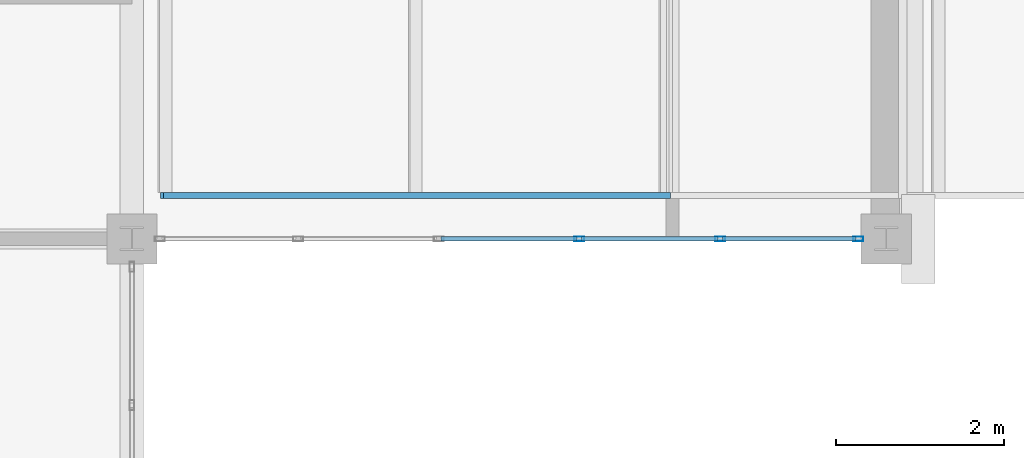
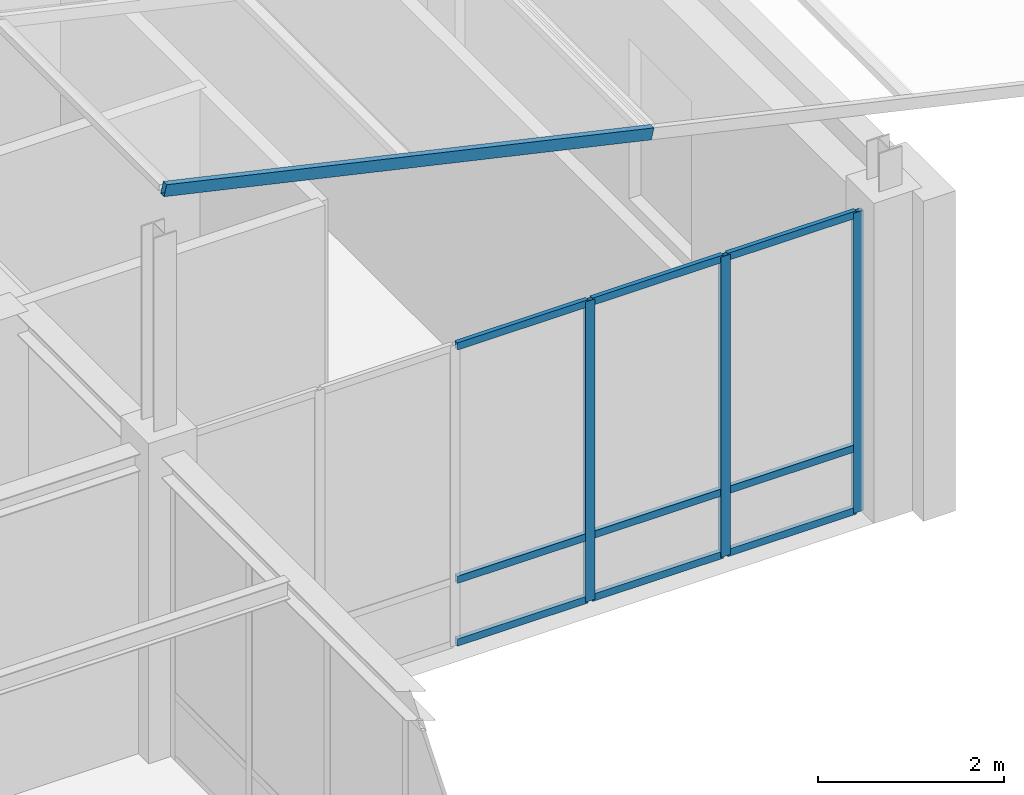
# One storey, part 36 of 97: 13 members, 2 elements without a shape of their own.
"""IFC4 building model written with IfcOpenShell, lengths in metres."""

import ifcopenshell
import ifcopenshell.guid

model = None  # the IFC model being written
_history = None  # IfcOwnerHistory: only IFC2X3 demands one
_inside = {}  # id of a spatial element -> (the spatial element, [elements in it])
_under = {}  # id of a project, library or spatial element -> (it, [spatial elements below it])
_declared = {}  # id of a project -> (the project, [libraries it declares])
_typed = {}  # id of a type object -> (the type object, [elements of that type])
_made_of = {}  # id of a material, layer set ... -> (it, [elements and type objects made of it])


def new_model(schema):
    """Start an empty IFC model of exactly this schema.

    Asked for "IFC4X3", IfcOpenShell would pick the latest addendum, in which some entities
    have other attributes; the version numbers below select the first issue.
    IFC2X3 requires an IfcOwnerHistory on every rooted entity: one is made here for all.
    """
    global model, _history
    if schema == "IFC4X3":
        model = ifcopenshell.file(schema_version=(4, 3, 0, 0))
    else:
        model = ifcopenshell.file(schema=schema)
    _inside.clear()
    _under.clear()
    _declared.clear()
    _typed.clear()
    _made_of.clear()
    _history = None
    if model.schema == "IFC2X3":
        org = make("IfcOrganization", Name="unknown")
        user = make(
            "IfcPersonAndOrganization",
            ThePerson=make("IfcPerson", FamilyName="unknown"),
            TheOrganization=org,
        )
        app = make(
            "IfcApplication",
            ApplicationDeveloper=org,
            Version="unknown",
            ApplicationFullName="unknown",
            ApplicationIdentifier="unknown",
        )
        _history = make(
            "IfcOwnerHistory",
            OwningUser=user,
            OwningApplication=app,
            ChangeAction="ADDED",
            CreationDate=0,
        )
    return model


def make(cls, **values):
    """One entity of the class cls with the attributes given. An attribute that is None is left unset."""
    return model.create_entity(
        cls, **{name: value for name, value in values.items() if value is not None}
    )


def rooted(cls, **values):
    """An entity with a GlobalId (a new one), such as an element, a storey or a relation."""
    return make(cls, GlobalId=ifcopenshell.guid.new(), OwnerHistory=_history, **values)


def si_unit(unit_type, name, prefix=None):
    """IfcSIUnit, for example si_unit("LENGTHUNIT", "METRE", prefix="MILLI")."""
    return make("IfcSIUnit", UnitType=unit_type, Prefix=prefix, Name=name)


def assignment(units):
    """IfcUnitAssignment: the units of a project."""
    return None if units is None else make("IfcUnitAssignment", Units=units)


def point(xyz):
    """IfcCartesianPoint."""
    return None if xyz is None else make("IfcCartesianPoint", Coordinates=xyz)


def direction(xyz):
    """IfcDirection."""
    return None if xyz is None else make("IfcDirection", DirectionRatios=xyz)


def frame(location, z_axis=None, x_axis=None):
    """IfcAxis2Placement3D, a coordinate frame: its origin and axes. An axis left out is left unset."""
    return make(
        "IfcAxis2Placement3D",
        Location=point(location),
        Axis=direction(z_axis),
        RefDirection=direction(x_axis),
    )


def frame_2d(location, x_axis=None):
    """IfcAxis2Placement2D, a coordinate frame in the plane: its origin and x axis."""
    return make(
        "IfcAxis2Placement2D", Location=point(location), RefDirection=direction(x_axis)
    )


def origin():
    """The frame at (0, 0, 0) with its axes left unset."""
    return frame((0.0, 0.0, 0.0))


def origin_2d():
    """The frame at (0, 0) in the plane with its x axis left unset."""
    return frame_2d((0.0, 0.0))


def place(relative_to, where):
    """IfcLocalPlacement: puts the frame where relative to a parent placement (None: the world)."""
    return make(
        "IfcLocalPlacement", PlacementRelTo=relative_to, RelativePlacement=where
    )


def context(
    kind, dimensions, precision=None, world=None, true_north=None, identifier=None
):
    """IfcGeometricRepresentationContext, for example the 3D "Model" context."""
    return make(
        "IfcGeometricRepresentationContext",
        ContextIdentifier=identifier,
        ContextType=kind,
        CoordinateSpaceDimension=dimensions,
        Precision=precision,
        WorldCoordinateSystem=world,
        TrueNorth=true_north,
    )


def subcontext(parent, identifier, kind, view, scale=None):
    """IfcGeometricRepresentationSubContext, for example "Body" below "Model"."""
    return make(
        "IfcGeometricRepresentationSubContext",
        ContextIdentifier=identifier,
        ContextType=kind,
        ParentContext=parent,
        TargetScale=scale,
        TargetView=view,
    )


def project(units=None, contexts=None):
    """IfcProject with its units and contexts."""
    return rooted(
        "IfcProject",
        Name="project",
        RepresentationContexts=contexts,
        UnitsInContext=assignment(units),
    )


def spatial(cls, under=None, at=None, **own):
    """A site, building, storey or space (cls), placed at a placement, below another one or the project."""
    s = rooted(cls, ObjectPlacement=at, **own)
    if under is not None:
        _under.setdefault(under.id(), (under, []))[1].append(s)
    return s


def profile(cls, at=None, kind="AREA", **sizes):
    """A parametric profile (cls). Its sizes go by their IFC names, for example OverallWidth=200.0."""
    return make(cls, ProfileType=kind, Position=at, **sizes)


def hollow_rectangle(**sizes):
    """IfcRectangleHollowProfileDef."""
    return profile("IfcRectangleHollowProfileDef", **sizes)


def extrude(swept, where, along, depth):
    """IfcExtrudedAreaSolid: the profile swept, set in the frame where, extruded along a direction by depth."""
    return make(
        "IfcExtrudedAreaSolid",
        SweptArea=swept,
        Position=where,
        ExtrudedDirection=direction(along),
        Depth=depth,
    )


def shape(context_of_items, identifier, shape_type, items):
    """IfcShapeRepresentation: the items that make up one representation, for example the "Body"."""
    return make(
        "IfcShapeRepresentation",
        ContextOfItems=context_of_items,
        RepresentationIdentifier=identifier,
        RepresentationType=shape_type,
        Items=items,
    )


def material(Name=None, Category=None):
    """IfcMaterial."""
    return make("IfcMaterial", Name=Name, Category=Category)


def material_profile(
    of_material, cross_section, Name=None, Category=None, Priority=None
):
    """IfcMaterialProfile: a cross section and its material."""
    return make(
        "IfcMaterialProfile",
        Name=Name,
        Material=of_material,
        Profile=cross_section,
        Priority=Priority,
        Category=Category,
    )


def profile_set(profiles, Name=None, composite=None):
    """IfcMaterialProfileSet."""
    return make(
        "IfcMaterialProfileSet",
        Name=Name,
        MaterialProfiles=profiles,
        CompositeProfile=composite,
    )


def made_of(thing, what):
    """Note that an element or type object is made of a material, layer set ...; save() writes the relation."""
    if what is not None:
        _made_of.setdefault(what.id(), (what, []))[1].append(thing)
    return thing


def type_object(cls, material=None, **own):
    """A type object (cls), such as IfcWallType, which elements share."""
    return made_of(rooted(cls, **own), material)


def element(
    cls,
    number,
    at=None,
    inside=None,
    cuts=None,
    type_object=None,
    material=None,
    context=None,
    identifier="Body",
    shape_type=None,
    held_by="IfcProductDefinitionShape",
    body=None,
    shapes=None,
    **own,
):
    """One element of the class cls, such as IfcWall. Its Tag is "e" and its number.

    at: its placement. inside: the storey or other place that contains it. cuts: it is an
    opening in that element (IfcRelVoidsElement). A single representation is given by context,
    identifier, shape_type and body (its items); several are given by shapes. held_by: the class
    of the entity that holds the representations. save() writes the other relations.
    """
    e = rooted(cls, Tag="e%d" % number, ObjectPlacement=at, **own)
    if body is not None:
        shapes = [shape(context, identifier, shape_type, body)]
    if shapes is not None:
        e.Representation = make(held_by, Representations=shapes)
    if inside is not None:
        _inside.setdefault(inside.id(), (inside, []))[1].append(e)
    if cuts is not None:
        rooted(
            "IfcRelVoidsElement", RelatingBuildingElement=cuts, RelatedOpeningElement=e
        )
    if type_object is not None:
        _typed.setdefault(type_object.id(), (type_object, []))[1].append(e)
    return made_of(e, material)


def aggregate(whole, parts):
    """IfcRelAggregates: a whole, such as a stair, and the parts it consists of."""
    return rooted("IfcRelAggregates", RelatingObject=whole, RelatedObjects=parts)


def save(model, path):
    """Write the relations noted so far, then the file.

    IfcRelAggregates (storeys below a building ...), IfcRelContainedInSpatialStructure (elements
    in a storey), IfcRelDefinesByType, IfcRelAssociatesMaterial and IfcRelDeclares: one each for
    every whole, place, type object, material and project.
    """
    for whole, parts in _under.values():
        aggregate(whole, parts)
    for where, things in _inside.values():
        rooted(
            "IfcRelContainedInSpatialStructure",
            RelatedElements=things,
            RelatingStructure=where,
        )
    for kind, things in _typed.values():
        rooted("IfcRelDefinesByType", RelatedObjects=things, RelatingType=kind)
    for what, things in _made_of.values():
        rooted("IfcRelAssociatesMaterial", RelatedObjects=things, RelatingMaterial=what)
    for by, libraries in _declared.values():
        rooted("IfcRelDeclares", RelatingContext=by, RelatedDefinitions=libraries)
    model.write(path)


model = new_model("IFC4")

# Units and contexts
model_context = context("Model", 3, precision=1e-05, world=origin(), true_north=direction((0.0, 1.0)))
body_context = subcontext(model_context, "Body", "Model", "MODEL_VIEW")
ifc_project = project(units=[si_unit("LENGTHUNIT", "METRE"), si_unit("AREAUNIT", "SQUARE_METRE"), si_unit("VOLUMEUNIT", "CUBIC_METRE"), si_unit("PLANEANGLEUNIT", "RADIAN"), si_unit("MASSUNIT", "GRAM", prefix="KILO")], contexts=[model_context])

# Site, building, storey
site_placement = place(None, origin())
site = spatial("IfcSite", under=ifc_project, at=site_placement, CompositionType="ELEMENT")
building_placement = place(site_placement, origin())
building = spatial("IfcBuilding", under=site, at=building_placement, Name="Lykobir Media Centre", CompositionType="ELEMENT")
storey_placement = place(building_placement, frame((0.0, 0.0, 23.39990234375)))
storey = spatial("IfcBuildingStorey", under=building, at=storey_placement, Name="L05", CompositionType="ELEMENT", Elevation=23.39990234375)

# Curtain wall, members
ifc_material = material(Name="Anodized Aluminium AW-6060", Category="aluminium")
curtain_wall_type_1 = type_object("IfcCurtainWallType", Name="CW-COURT-B", PredefinedType="NOTDEFINED", material=ifc_material)
curtain_wall_1_placement = place(storey_placement, origin())
curtain_wall_1 = element("IfcCurtainWall", 1, at=curtain_wall_1_placement, inside=storey, type_object=curtain_wall_type_1, Name="Curtain wall CW2-L05-0199", PredefinedType="NOTDEFINED")
ifc_material_profile_1 = material_profile(ifc_material, hollow_rectangle(XDim=0.054931640625, YDim=0.1201171875, WallThickness=0.003173828125, at=origin_2d()), Name="ALU MULLION 55x120")
ifc_profile_set_1 = profile_set([ifc_material_profile_1], Name="Anodized Aluminium AW-6060")
member_type_1 = type_object("IfcMemberType", Name="CWM-120", PredefinedType="MULLION", material=ifc_profile_set_1)
member_1_placement = place(storey_placement, frame((44.66748046875, 63.0, 0.0), z_axis=(0.0, 0.0, 1.0), x_axis=(0.0, -1.0, 0.0)))
member_1 = element("IfcMember", 2, at=member_1_placement, type_object=member_type_1, Name="CW2-L05-0199 mullion 1", PredefinedType="MULLION", context=body_context, shape_type="SweptSolid", body=[
    extrude(hollow_rectangle(XDim=0.054931640625, YDim=0.1201171875, WallThickness=0.003173828125, at=origin_2d()), origin(), (0.0, 0.0, 1.0), 3.940185546875),
])
member_2_placement = place(storey_placement, frame((43.01708984375, 63.0, 0.0), z_axis=(0.0, 0.0, 1.0), x_axis=(0.0, -1.0, 0.0)))
member_2 = element("IfcMember", 3, at=member_2_placement, type_object=member_type_1, Name="CW2-L05-0199 mullion 2", PredefinedType="MULLION", context=body_context, shape_type="SweptSolid", body=[
    extrude(hollow_rectangle(XDim=0.054931640625, YDim=0.1201171875, WallThickness=0.003173828125, at=origin_2d()), origin(), (0.0, 0.0, 1.0), 3.940185546875),
])
member_3_placement = place(storey_placement, frame((41.339111328125, 63.0, 0.0), z_axis=(0.0, 0.0, 1.0), x_axis=(0.0, -1.0, 0.0)))
member_3 = element("IfcMember", 4, at=member_3_placement, type_object=member_type_1, Name="CW2-L05-0199 mullion 3", PredefinedType="MULLION", context=body_context, shape_type="SweptSolid", body=[
    extrude(hollow_rectangle(XDim=0.054931640625, YDim=0.1201171875, WallThickness=0.003173828125, at=origin_2d()), origin(), (0.0, 0.0, 1.0), 3.940185546875),
])
ifc_material_profile_2 = material_profile(ifc_material, hollow_rectangle(XDim=0.054931640625, YDim=0.094970703125, WallThickness=0.0029296875, at=origin_2d()), Name="ALU TRANSOM 55x95")
ifc_profile_set_2 = profile_set([ifc_material_profile_2], Name="Anodized Aluminium AW-6060")
member_type_2 = type_object("IfcMemberType", Name="CWT-095", PredefinedType="USERDEFINED", material=ifc_profile_set_2)
member_4_placement = place(storey_placement, frame((44.639892578125, 63.0, 0.027587890625), z_axis=(-1.0, 0.0, 0.0), x_axis=(0.0, -1.0, 0.0)))
member_4 = element("IfcMember", 5, at=member_4_placement, type_object=member_type_2, Name="CW2-L05-0199 transom 1.1", ObjectType="TRANSOM", PredefinedType="USERDEFINED", context=body_context, shape_type="SweptSolid", body=[
    extrude(hollow_rectangle(XDim=0.054931640625, YDim=0.094970703125, WallThickness=0.0029296875, at=origin_2d()), origin(), (0.0, 0.0, 1.0), 1.595458984375),
])
member_5_placement = place(storey_placement, frame((44.639892578125, 63.0, 0.85009765625), z_axis=(-1.0, 0.0, 0.0), x_axis=(0.0, -1.0, 0.0)))
member_5 = element("IfcMember", 6, at=member_5_placement, type_object=member_type_2, Name="CW2-L05-0199 transom 1.2", ObjectType="TRANSOM", PredefinedType="USERDEFINED", context=body_context, shape_type="SweptSolid", body=[
    extrude(hollow_rectangle(XDim=0.054931640625, YDim=0.094970703125, WallThickness=0.0029296875, at=origin_2d()), origin(), (0.0, 0.0, 1.0), 1.595458984375),
])
member_6_placement = place(storey_placement, frame((44.639892578125, 63.0, 3.91259765625), z_axis=(-1.0, 0.0, 0.0), x_axis=(0.0, -1.0, 0.0)))
member_6 = element("IfcMember", 7, at=member_6_placement, type_object=member_type_2, Name="CW2-L05-0199 transom 1.3", ObjectType="TRANSOM", PredefinedType="USERDEFINED", context=body_context, shape_type="SweptSolid", body=[
    extrude(hollow_rectangle(XDim=0.054931640625, YDim=0.094970703125, WallThickness=0.0029296875, at=origin_2d()), origin(), (0.0, 0.0, 1.0), 1.595458984375),
])
member_7_placement = place(storey_placement, frame((42.989501953125, 63.0, 0.027587890625), z_axis=(-1.0, 0.0, 0.0), x_axis=(0.0, -1.0, 0.0)))
member_7 = element("IfcMember", 8, at=member_7_placement, type_object=member_type_2, Name="CW2-L05-0199 transom 2.1", ObjectType="TRANSOM", PredefinedType="USERDEFINED", context=body_context, shape_type="SweptSolid", body=[
    extrude(hollow_rectangle(XDim=0.054931640625, YDim=0.094970703125, WallThickness=0.0029296875, at=origin_2d()), origin(), (0.0, 0.0, 1.0), 1.623046875),
])
member_8_placement = place(storey_placement, frame((42.989501953125, 63.0, 0.85009765625), z_axis=(-1.0, 0.0, 0.0), x_axis=(0.0, -1.0, 0.0)))
member_8 = element("IfcMember", 9, at=member_8_placement, type_object=member_type_2, Name="CW2-L05-0199 transom 2.2", ObjectType="TRANSOM", PredefinedType="USERDEFINED", context=body_context, shape_type="SweptSolid", body=[
    extrude(hollow_rectangle(XDim=0.054931640625, YDim=0.094970703125, WallThickness=0.0029296875, at=origin_2d()), origin(), (0.0, 0.0, 1.0), 1.623046875),
])
member_9_placement = place(storey_placement, frame((42.989501953125, 63.0, 3.91259765625), z_axis=(-1.0, 0.0, 0.0), x_axis=(0.0, -1.0, 0.0)))
member_9 = element("IfcMember", 10, at=member_9_placement, type_object=member_type_2, Name="CW2-L05-0199 transom 2.3", ObjectType="TRANSOM", PredefinedType="USERDEFINED", context=body_context, shape_type="SweptSolid", body=[
    extrude(hollow_rectangle(XDim=0.054931640625, YDim=0.094970703125, WallThickness=0.0029296875, at=origin_2d()), origin(), (0.0, 0.0, 1.0), 1.623046875),
])
member_10_placement = place(storey_placement, frame((41.3115234375, 63.0, 0.027587890625), z_axis=(-1.0, 0.0, 0.0), x_axis=(0.0, -1.0, 0.0)))
member_10 = element("IfcMember", 11, at=member_10_placement, type_object=member_type_2, Name="CW2-L05-0199 transom 3.1", ObjectType="TRANSOM", PredefinedType="USERDEFINED", context=body_context, shape_type="SweptSolid", body=[
    extrude(hollow_rectangle(XDim=0.054931640625, YDim=0.094970703125, WallThickness=0.0029296875, at=origin_2d()), origin(), (0.0, 0.0, 1.0), 1.623046875),
])
member_11_placement = place(storey_placement, frame((41.3115234375, 63.0, 0.85009765625), z_axis=(-1.0, 0.0, 0.0), x_axis=(0.0, -1.0, 0.0)))
member_11 = element("IfcMember", 12, at=member_11_placement, type_object=member_type_2, Name="CW2-L05-0199 transom 3.2", ObjectType="TRANSOM", PredefinedType="USERDEFINED", context=body_context, shape_type="SweptSolid", body=[
    extrude(hollow_rectangle(XDim=0.054931640625, YDim=0.094970703125, WallThickness=0.0029296875, at=origin_2d()), origin(), (0.0, 0.0, 1.0), 1.623046875),
])
member_12_placement = place(storey_placement, frame((41.3115234375, 63.0, 3.91259765625), z_axis=(-1.0, 0.0, 0.0), x_axis=(0.0, -1.0, 0.0)))
member_12 = element("IfcMember", 13, at=member_12_placement, type_object=member_type_2, Name="CW2-L05-0199 transom 3.3", ObjectType="TRANSOM", PredefinedType="USERDEFINED", context=body_context, shape_type="SweptSolid", body=[
    extrude(hollow_rectangle(XDim=0.054931640625, YDim=0.094970703125, WallThickness=0.0029296875, at=origin_2d()), origin(), (0.0, 0.0, 1.0), 1.623046875),
])
aggregate(curtain_wall_1, [member_1, member_2, member_3, member_4, member_5, member_6, member_7, member_8, member_9, member_10, member_11, member_12])

# Curtain wall, member
curtain_wall_type_2 = type_object("IfcCurtainWallType", Name="CW-V6-SKY", PredefinedType="NOTDEFINED", material=ifc_material)
curtain_wall_2_placement = place(storey_placement, origin())
curtain_wall_2 = element("IfcCurtainWall", 14, at=curtain_wall_2_placement, inside=storey, type_object=curtain_wall_type_2, Name="Curtain wall CW-V6-SKY07", PredefinedType="NOTDEFINED")
ifc_material_profile_3 = material_profile(ifc_material, hollow_rectangle(XDim=0.074951171875, YDim=0.14990234375, WallThickness=0.00341796875, at=origin_2d()), Name="ALU TRANSOM 75x150")
ifc_profile_set_3 = profile_set([ifc_material_profile_3], Name="Anodized Aluminium AW-6060")
member_type_3 = type_object("IfcMemberType", Name="CWT-150", PredefinedType="USERDEFINED", material=ifc_profile_set_3)
member_13_placement = place(storey_placement, frame((42.40625, 63.517578125, 5.444580078125), z_axis=(-0.97526608678, 0.0, 0.221034069718), x_axis=(0.0, -1.0, 0.0)))
member_13 = element("IfcMember", 15, at=member_13_placement, type_object=member_type_3, Name="CW-V6-SKY07 rafter transom 13", ObjectType="TRANSOM", PredefinedType="USERDEFINED", context=body_context, shape_type="SweptSolid", body=[
    extrude(hollow_rectangle(XDim=0.074951171875, YDim=0.14990234375, WallThickness=0.00341796875, at=origin_2d()), origin(), (0.0, 0.0, 1.0), 6.201904296875),
])
aggregate(curtain_wall_2, [member_13])

save(model, "model.ifc")
